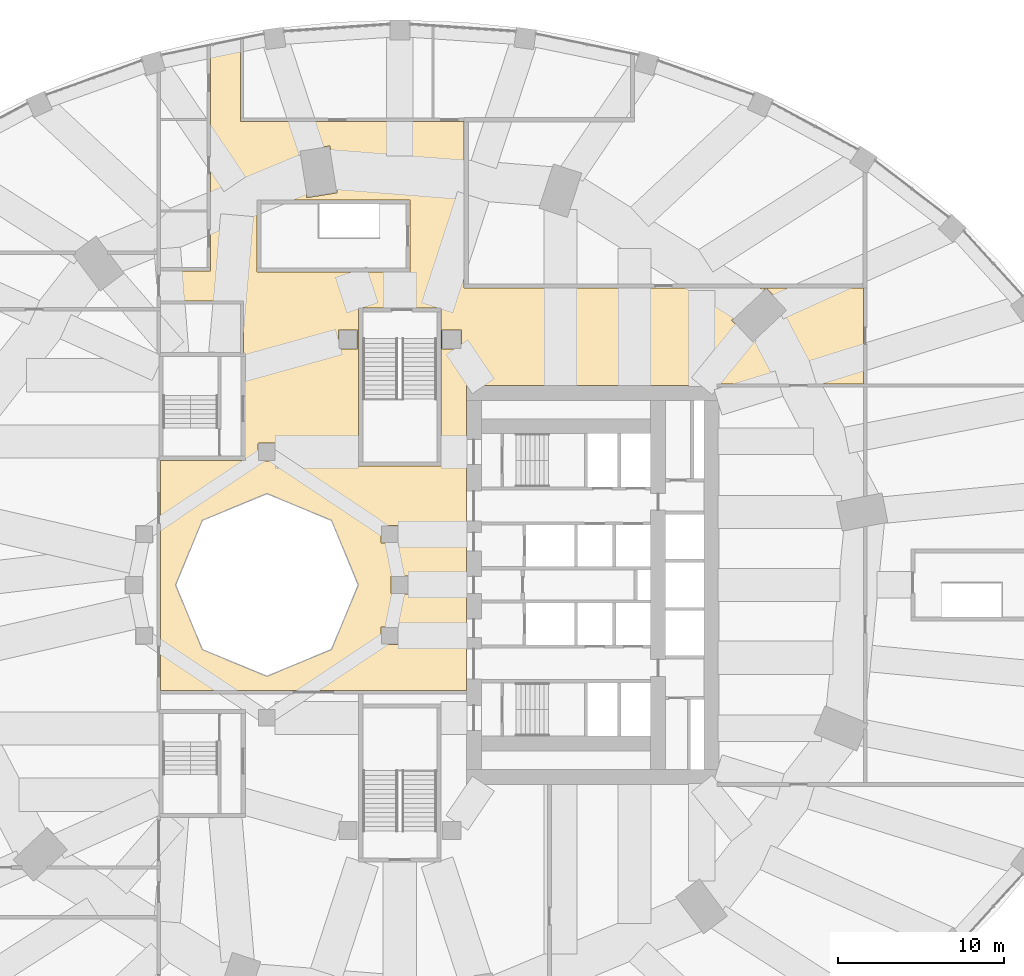
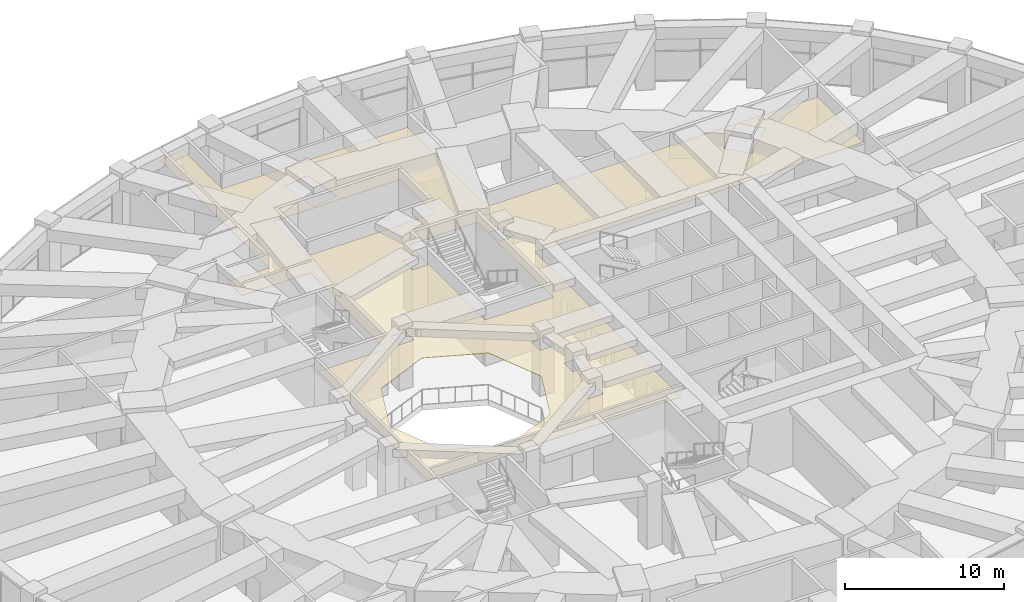
# One storey, part 29 of 30: 1 covering.
"""IFC4 building model written with IfcOpenShell, lengths in metres."""

from ifc_helpers import new_model, si_unit, direction, frame, origin, place, context, subcontext, project, spatial, polyline, outline, extrude, material, layer, layer_set, type_object, element, save


model = new_model("IFC4")

# Units and contexts
model_context = context("Model", 3, precision=1e-05, world=origin(), true_north=direction((0.0, 1.0)))
body_context = subcontext(model_context, "Body", "Model", "MODEL_VIEW")
ifc_project = project(units=[si_unit("LENGTHUNIT", "METRE"), si_unit("AREAUNIT", "SQUARE_METRE"), si_unit("VOLUMEUNIT", "CUBIC_METRE"), si_unit("PLANEANGLEUNIT", "RADIAN"), si_unit("MASSUNIT", "GRAM", prefix="KILO")], contexts=[model_context])

# Site, building, storey
site_placement = place(None, origin())
site = spatial("IfcSite", under=ifc_project, at=site_placement, CompositionType="ELEMENT")
building_placement = place(site_placement, origin())
building = spatial("IfcBuilding", under=site, at=building_placement, Name="Taillehof Tower", CompositionType="ELEMENT")
storey_placement = place(building_placement, frame((0.0, 0.0, 12.5)))
storey = spatial("IfcBuildingStorey", under=building, at=storey_placement, Name="L02", CompositionType="ELEMENT", Elevation=12.5)

# Covering
ifc_material = material(Name="Mineral fibre ceiling tiles")
ifc_layer = layer(ifc_material, 0.030029296875)
ifc_layer_set = layer_set([ifc_layer], Name="Suspended ceiling 30 mm")
covering_type = type_object("IfcCoveringType", Name="Suspended ceiling 30 mm", PredefinedType="CEILING", material=ifc_layer_set)
covering_placement = place(storey_placement, frame((0.0, 0.0, 3.570068359375)))
element("IfcCovering", 1, at=covering_placement, inside=storey, type_object=covering_type, Name="Ceiling L02-26", PredefinedType="CEILING", context=body_context, shape_type="SweptSolid", body=[
    extrude(outline(polyline([(4.0, -6.35009765625), (-14.39990234375, -6.35009765625), (-14.39990234375, 7.5), (-9.5, 7.5), (-9.5, 13.89990234375), (-9.39990234375, 13.89990234375), (-9.39990234375, 16.89990234375), (-9.39990234375, 17.10009765625), (-14.39990234375, 17.10009765625), (-14.39990234375, 18.89990234375), (-11.39990234375, 18.89990234375), (-11.39990234375, 19.10009765625), (-11.39990234375, 22.60009765625), (-11.39990234375, 27.89990234375), (-11.39990234375, 32.530029296875), (-11.3046875, 32.552978515625), (-9.60009765625, 32.84423828125), (-9.60009765625, 28.10009765625), (-9.60009765625, 27.89990234375), (2.10009765625, 27.89990234375), (3.875, 27.89990234375), (3.875, 27.875), (3.875, 18.125), (3.875, 17.875), (27.875, 17.875), (27.89990234375, 17.875), (27.89990234375, 12.10009765625), (19.10009765625, 12.10009765625), (19.10009765625, 12.0), (4.0, 12.0), (4.0, -6.35009765625)]), holes=[polyline([(-13.5, 0.0), (-11.88916015625, -3.88916015625), (-8.0, -5.5), (-4.11083984375, -3.88916015625), (-2.5, 0.0), (-4.11083984375, 3.88916015625), (-8.0, 5.5), (-11.88916015625, 3.88916015625), (-13.5, 0.0)]), polyline([(2.47509765625, 16.419921875), (2.47509765625, 16.669921875), (-2.22509765625, 16.669921875), (-2.47509765625, 16.669921875), (-2.47509765625, 7.39990234375), (-2.47509765625, 7.14990234375), (2.47509765625, 7.14990234375), (2.47509765625, 7.39990234375), (2.47509765625, 16.419921875)]), polyline([(-8.610107421875, 18.824951171875), (0.610107421875, 18.824951171875), (0.610107421875, 19.074951171875), (0.610107421875, 19.074951171875), (0.610107421875, 22.925048828125), (0.610107421875, 22.925048828125), (0.610107421875, 23.175048828125), (-8.360107421875, 23.175048828125), (-8.610107421875, 23.175048828125), (-8.610107421875, 19.074951171875), (-8.610107421875, 18.824951171875)]), polyline([(-1.120361328125, -3.589111328125), (-1.11767578125, -3.590087890625), (-1.11474609375, -3.5908203125), (-1.11181640625, -3.59130859375), (-1.10888671875, -3.591552734375), (-0.10888671875, -3.591552734375), (-0.10595703125, -3.59130859375), (-0.10302734375, -3.5908203125), (-0.100341796875, -3.590087890625), (-0.097412109375, -3.589111328125), (-0.0947265625, -3.587890625), (-0.09228515625, -3.58642578125), (-0.08984375, -3.584716796875), (-0.087646484375, -3.582763671875), (-0.085693359375, -3.58056640625), (-0.083984375, -3.578125), (-0.08251953125, -3.57568359375), (-0.081298828125, -3.572998046875), (-0.080322265625, -3.570068359375), (-0.07958984375, -3.5673828125), (-0.0791015625, -3.564453125), (-0.078857421875, -3.5615234375), (-0.078857421875, -2.5615234375), (-0.0791015625, -2.55859375), (-0.07958984375, -2.5556640625), (-0.080322265625, -2.552734375), (-0.081298828125, -2.550048828125), (-0.08251953125, -2.54736328125), (-0.083984375, -2.544921875), (-0.085693359375, -2.54248046875), (-0.087646484375, -2.540283203125), (-0.08984375, -2.538330078125), (-0.09228515625, -2.53662109375), (-0.0947265625, -2.534912109375), (-0.097412109375, -2.53369140625), (-0.100341796875, -2.53271484375), (-0.10302734375, -2.531982421875), (-0.10595703125, -2.531494140625), (-0.10888671875, -2.531494140625), (-1.10888671875, -2.531494140625), (-1.11181640625, -2.531494140625), (-1.11474609375, -2.531982421875), (-1.11767578125, -2.53271484375), (-1.120361328125, -2.53369140625), (-1.123046875, -2.534912109375), (-1.125732421875, -2.53662109375), (-1.1279296875, -2.538330078125), (-1.130126953125, -2.540283203125), (-1.132080078125, -2.54248046875), (-1.1337890625, -2.544921875), (-1.135498046875, -2.54736328125), (-1.13671875, -2.550048828125), (-1.1376953125, -2.552734375), (-1.138427734375, -2.5556640625), (-1.138916015625, -2.55859375), (-1.138916015625, -2.5615234375), (-1.138916015625, -3.5615234375), (-1.138916015625, -3.564453125), (-1.138427734375, -3.5673828125), (-1.1376953125, -3.570068359375), (-1.13671875, -3.572998046875), (-1.135498046875, -3.57568359375), (-1.1337890625, -3.578125), (-1.132080078125, -3.58056640625), (-1.130126953125, -3.582763671875), (-1.1279296875, -3.584716796875), (-1.125732421875, -3.58642578125), (-1.123046875, -3.587890625), (-1.120361328125, -3.589111328125)]), polyline([(-0.5087890625, -0.52880859375), (-0.505859375, -0.529541015625), (-0.5029296875, -0.52978515625), (-0.5, -0.530029296875), (0.5, -0.530029296875), (0.5029296875, -0.52978515625), (0.505859375, -0.529541015625), (0.5087890625, -0.52880859375), (0.511474609375, -0.52783203125), (0.51416015625, -0.5263671875), (0.5166015625, -0.52490234375), (0.51904296875, -0.523193359375), (0.521240234375, -0.521240234375), (0.523193359375, -0.51904296875), (0.52490234375, -0.5166015625), (0.5263671875, -0.51416015625), (0.52783203125, -0.511474609375), (0.52880859375, -0.5087890625), (0.529541015625, -0.505859375), (0.52978515625, -0.5029296875), (0.530029296875, -0.5), (0.530029296875, 0.5), (0.52978515625, 0.5029296875), (0.529541015625, 0.505859375), (0.52880859375, 0.5087890625), (0.52783203125, 0.511474609375), (0.5263671875, 0.51416015625), (0.52490234375, 0.5166015625), (0.523193359375, 0.51904296875), (0.521240234375, 0.521240234375), (0.51904296875, 0.523193359375), (0.5166015625, 0.52490234375), (0.51416015625, 0.5263671875), (0.511474609375, 0.52783203125), (0.5087890625, 0.52880859375), (0.505859375, 0.529541015625), (0.5029296875, 0.52978515625), (0.5, 0.530029296875), (-0.5, 0.530029296875), (-0.5029296875, 0.52978515625), (-0.505859375, 0.529541015625), (-0.5087890625, 0.52880859375), (-0.511474609375, 0.52783203125), (-0.51416015625, 0.5263671875), (-0.5166015625, 0.52490234375), (-0.51904296875, 0.523193359375), (-0.521240234375, 0.521240234375), (-0.523193359375, 0.51904296875), (-0.52490234375, 0.5166015625), (-0.5263671875, 0.51416015625), (-0.52783203125, 0.511474609375), (-0.52880859375, 0.5087890625), (-0.529541015625, 0.505859375), (-0.52978515625, 0.5029296875), (-0.530029296875, 0.5), (-0.530029296875, -0.5), (-0.52978515625, -0.5029296875), (-0.529541015625, -0.505859375), (-0.52880859375, -0.5087890625), (-0.52783203125, -0.511474609375), (-0.5263671875, -0.51416015625), (-0.52490234375, -0.5166015625), (-0.523193359375, -0.51904296875), (-0.521240234375, -0.521240234375), (-0.51904296875, -0.523193359375), (-0.5166015625, -0.52490234375), (-0.51416015625, -0.5263671875), (-0.511474609375, -0.52783203125), (-0.5087890625, -0.52880859375)]), polyline([(-1.120361328125, 2.53369140625), (-1.11767578125, 2.53271484375), (-1.11474609375, 2.531982421875), (-1.11181640625, 2.531494140625), (-1.10888671875, 2.531494140625), (-0.10888671875, 2.531494140625), (-0.10595703125, 2.531494140625), (-0.10302734375, 2.531982421875), (-0.100341796875, 2.53271484375), (-0.097412109375, 2.53369140625), (-0.0947265625, 2.534912109375), (-0.09228515625, 2.53662109375), (-0.08984375, 2.538330078125), (-0.087646484375, 2.540283203125), (-0.085693359375, 2.54248046875), (-0.083984375, 2.544921875), (-0.08251953125, 2.54736328125), (-0.081298828125, 2.550048828125), (-0.080322265625, 2.552734375), (-0.07958984375, 2.5556640625), (-0.0791015625, 2.55859375), (-0.078857421875, 2.5615234375), (-0.078857421875, 3.5615234375), (-0.0791015625, 3.564453125), (-0.07958984375, 3.5673828125), (-0.080322265625, 3.570068359375), (-0.081298828125, 3.572998046875), (-0.08251953125, 3.57568359375), (-0.083984375, 3.578125), (-0.085693359375, 3.58056640625), (-0.087646484375, 3.582763671875), (-0.08984375, 3.584716796875), (-0.09228515625, 3.58642578125), (-0.0947265625, 3.587890625), (-0.097412109375, 3.589111328125), (-0.100341796875, 3.590087890625), (-0.10302734375, 3.5908203125), (-0.10595703125, 3.59130859375), (-0.10888671875, 3.591552734375), (-1.10888671875, 3.591552734375), (-1.11181640625, 3.59130859375), (-1.11474609375, 3.5908203125), (-1.11767578125, 3.590087890625), (-1.120361328125, 3.589111328125), (-1.123046875, 3.587890625), (-1.125732421875, 3.58642578125), (-1.1279296875, 3.584716796875), (-1.130126953125, 3.582763671875), (-1.132080078125, 3.58056640625), (-1.1337890625, 3.578125), (-1.135498046875, 3.57568359375), (-1.13671875, 3.572998046875), (-1.1376953125, 3.570068359375), (-1.138427734375, 3.5673828125), (-1.138916015625, 3.564453125), (-1.138916015625, 3.5615234375), (-1.138916015625, 2.5615234375), (-1.138916015625, 2.55859375), (-1.138427734375, 2.5556640625), (-1.1376953125, 2.552734375), (-1.13671875, 2.550048828125), (-1.135498046875, 2.54736328125), (-1.1337890625, 2.544921875), (-1.132080078125, 2.54248046875), (-1.130126953125, 2.540283203125), (-1.1279296875, 2.538330078125), (-1.125732421875, 2.53662109375), (-1.123046875, 2.534912109375), (-1.120361328125, 2.53369140625)]), polyline([(-8.511474609375, 7.47216796875), (-8.5087890625, 7.47119140625), (-8.505859375, 7.470458984375), (-8.5029296875, 7.47021484375), (-8.5, 7.469970703125), (-7.5, 7.469970703125), (-7.4970703125, 7.47021484375), (-7.494140625, 7.470458984375), (-7.4912109375, 7.47119140625), (-7.488525390625, 7.47216796875), (-7.48583984375, 7.4736328125), (-7.4833984375, 7.47509765625), (-7.48095703125, 7.476806640625), (-7.478759765625, 7.478759765625), (-7.476806640625, 7.48095703125), (-7.47509765625, 7.4833984375), (-7.4736328125, 7.48583984375), (-7.47216796875, 7.488525390625), (-7.47119140625, 7.4912109375), (-7.470458984375, 7.494140625), (-7.47021484375, 7.4970703125), (-7.469970703125, 7.5), (-7.469970703125, 8.5), (-7.47021484375, 8.5029296875), (-7.470458984375, 8.505859375), (-7.47119140625, 8.5087890625), (-7.47216796875, 8.511474609375), (-7.4736328125, 8.51416015625), (-7.47509765625, 8.5166015625), (-7.476806640625, 8.51904296875), (-7.478759765625, 8.521240234375), (-7.48095703125, 8.523193359375), (-7.4833984375, 8.52490234375), (-7.48583984375, 8.5263671875), (-7.488525390625, 8.52783203125), (-7.4912109375, 8.52880859375), (-7.494140625, 8.529541015625), (-7.4970703125, 8.52978515625), (-7.5, 8.530029296875), (-8.5, 8.530029296875), (-8.5029296875, 8.52978515625), (-8.505859375, 8.529541015625), (-8.5087890625, 8.52880859375), (-8.511474609375, 8.52783203125), (-8.51416015625, 8.5263671875), (-8.5166015625, 8.52490234375), (-8.51904296875, 8.523193359375), (-8.521240234375, 8.521240234375), (-8.523193359375, 8.51904296875), (-8.52490234375, 8.5166015625), (-8.5263671875, 8.51416015625), (-8.52783203125, 8.511474609375), (-8.52880859375, 8.5087890625), (-8.529541015625, 8.505859375), (-8.52978515625, 8.5029296875), (-8.530029296875, 8.5), (-8.530029296875, 7.5), (-8.52978515625, 7.4970703125), (-8.529541015625, 7.494140625), (-8.52880859375, 7.4912109375), (-8.52783203125, 7.488525390625), (-8.5263671875, 7.48583984375), (-8.52490234375, 7.4833984375), (-8.523193359375, 7.48095703125), (-8.521240234375, 7.478759765625), (-8.51904296875, 7.476806640625), (-8.5166015625, 7.47509765625), (-8.51416015625, 7.4736328125), (-8.511474609375, 7.47216796875)]), polyline([(-3.687255859375, 14.1943359375), (-3.684326171875, 14.193359375), (-3.681640625, 14.192626953125), (-3.6787109375, 14.1923828125), (-3.67578125, 14.192138671875), (-2.57568359375, 14.192138671875), (-2.57275390625, 14.1923828125), (-2.56982421875, 14.192626953125), (-2.56689453125, 14.193359375), (-2.564208984375, 14.1943359375), (-2.5615234375, 14.195556640625), (-2.55908203125, 14.197265625), (-2.556640625, 14.198974609375), (-2.554443359375, 14.200927734375), (-2.552490234375, 14.203125), (-2.55078125, 14.20556640625), (-2.54931640625, 14.2080078125), (-2.5478515625, 14.210693359375), (-2.546875, 14.21337890625), (-2.546142578125, 14.21630859375), (-2.5458984375, 14.21923828125), (-2.545654296875, 14.22216796875), (-2.545654296875, 15.322021484375), (-2.5458984375, 15.324951171875), (-2.546142578125, 15.327880859375), (-2.546875, 15.330810546875), (-2.5478515625, 15.33349609375), (-2.54931640625, 15.336181640625), (-2.55078125, 15.3388671875), (-2.552490234375, 15.341064453125), (-2.554443359375, 15.34326171875), (-2.556640625, 15.34521484375), (-2.55908203125, 15.34716796875), (-2.5615234375, 15.3486328125), (-2.564208984375, 15.349853515625), (-2.56689453125, 15.350830078125), (-2.56982421875, 15.3515625), (-2.57275390625, 15.35205078125), (-2.57568359375, 15.35205078125), (-3.67578125, 15.35205078125), (-3.6787109375, 15.35205078125), (-3.681640625, 15.3515625), (-3.684326171875, 15.350830078125), (-3.687255859375, 15.349853515625), (-3.689697265625, 15.3486328125), (-3.6923828125, 15.34716796875), (-3.694580078125, 15.34521484375), (-3.69677734375, 15.34326171875), (-3.698974609375, 15.341064453125), (-3.70068359375, 15.3388671875), (-3.7021484375, 15.336181640625), (-3.703369140625, 15.33349609375), (-3.704345703125, 15.330810546875), (-3.705078125, 15.327880859375), (-3.70556640625, 15.324951171875), (-3.70556640625, 15.322021484375), (-3.70556640625, 14.22216796875), (-3.70556640625, 14.21923828125), (-3.705078125, 14.21630859375), (-3.704345703125, 14.21337890625), (-3.703369140625, 14.210693359375), (-3.7021484375, 14.2080078125), (-3.70068359375, 14.20556640625), (-3.698974609375, 14.203125), (-3.69677734375, 14.200927734375), (-3.694580078125, 14.198974609375), (-3.6923828125, 14.197265625), (-3.689697265625, 14.195556640625), (-3.687255859375, 14.1943359375)]), polyline([(2.564208984375, 14.1943359375), (2.56689453125, 14.193359375), (2.56982421875, 14.192626953125), (2.57275390625, 14.1923828125), (2.57568359375, 14.192138671875), (3.67578125, 14.192138671875), (3.6787109375, 14.1923828125), (3.681640625, 14.192626953125), (3.684326171875, 14.193359375), (3.687255859375, 14.1943359375), (3.689697265625, 14.195556640625), (3.6923828125, 14.197265625), (3.694580078125, 14.198974609375), (3.69677734375, 14.200927734375), (3.698974609375, 14.203125), (3.70068359375, 14.20556640625), (3.7021484375, 14.2080078125), (3.703369140625, 14.210693359375), (3.704345703125, 14.21337890625), (3.705078125, 14.21630859375), (3.70556640625, 14.21923828125), (3.70556640625, 14.22216796875), (3.70556640625, 15.322021484375), (3.70556640625, 15.324951171875), (3.705078125, 15.327880859375), (3.704345703125, 15.330810546875), (3.703369140625, 15.33349609375), (3.7021484375, 15.336181640625), (3.70068359375, 15.3388671875), (3.698974609375, 15.341064453125), (3.69677734375, 15.34326171875), (3.694580078125, 15.34521484375), (3.6923828125, 15.34716796875), (3.689697265625, 15.3486328125), (3.687255859375, 15.349853515625), (3.684326171875, 15.350830078125), (3.681640625, 15.3515625), (3.6787109375, 15.35205078125), (3.67578125, 15.35205078125), (2.57568359375, 15.35205078125), (2.57275390625, 15.35205078125), (2.56982421875, 15.3515625), (2.56689453125, 15.350830078125), (2.564208984375, 15.349853515625), (2.5615234375, 15.3486328125), (2.55908203125, 15.34716796875), (2.556640625, 15.34521484375), (2.554443359375, 15.34326171875), (2.552490234375, 15.341064453125), (2.55078125, 15.3388671875), (2.54931640625, 15.336181640625), (2.5478515625, 15.33349609375), (2.546875, 15.330810546875), (2.546142578125, 15.327880859375), (2.5458984375, 15.324951171875), (2.545654296875, 15.322021484375), (2.545654296875, 14.22216796875), (2.5458984375, 14.21923828125), (2.546142578125, 14.21630859375), (2.546875, 14.21337890625), (2.5478515625, 14.210693359375), (2.54931640625, 14.2080078125), (2.55078125, 14.20556640625), (2.552490234375, 14.203125), (2.554443359375, 14.200927734375), (2.556640625, 14.198974609375), (2.55908203125, 14.197265625), (2.5615234375, 14.195556640625), (2.564208984375, 14.1943359375)]), polyline([(-3.768798828125, 23.6171875), (-3.768310546875, 23.619873046875), (-3.76806640625, 23.622802734375), (-3.76806640625, 23.6259765625), (-3.768310546875, 23.62890625), (-4.20556640625, 26.39453125), (-4.2060546875, 26.397216796875), (-4.20703125, 26.400146484375), (-4.208251953125, 26.40283203125), (-4.209716796875, 26.405517578125), (-4.211181640625, 26.407958984375), (-4.213134765625, 26.41015625), (-4.21533203125, 26.412109375), (-4.217529296875, 26.4140625), (-4.219970703125, 26.41552734375), (-4.22265625, 26.4169921875), (-4.225341796875, 26.418212890625), (-4.228271484375, 26.4189453125), (-4.231201171875, 26.41943359375), (-4.234130859375, 26.419677734375), (-4.237060546875, 26.419677734375), (-4.239990234375, 26.41943359375), (-6.017822265625, 26.138427734375), (-6.020751953125, 26.1376953125), (-6.0234375, 26.13671875), (-6.026123046875, 26.1357421875), (-6.02880859375, 26.13427734375), (-6.03125, 26.132568359375), (-6.033447265625, 26.130615234375), (-6.03564453125, 26.128662109375), (-6.037353515625, 26.126220703125), (-6.0390625, 26.123779296875), (-6.040283203125, 26.121337890625), (-6.04150390625, 26.118408203125), (-6.042236328125, 26.11572265625), (-6.042724609375, 26.11279296875), (-6.043212890625, 26.10986328125), (-6.04296875, 26.10693359375), (-6.042724609375, 26.10400390625), (-5.60546875, 23.33837890625), (-5.60498046875, 23.33544921875), (-5.60400390625, 23.332763671875), (-5.60302734375, 23.329833984375), (-5.6015625, 23.327392578125), (-5.599853515625, 23.324951171875), (-5.597900390625, 23.32275390625), (-5.595947265625, 23.320556640625), (-5.593505859375, 23.31884765625), (-5.591064453125, 23.317138671875), (-5.58837890625, 23.315673828125), (-5.585693359375, 23.314697265625), (-5.5830078125, 23.31396484375), (-5.580078125, 23.313232421875), (-5.5771484375, 23.31298828125), (-5.57421875, 23.31298828125), (-5.5712890625, 23.3134765625), (-3.793212890625, 23.594482421875), (-3.79052734375, 23.594970703125), (-3.78759765625, 23.595947265625), (-3.784912109375, 23.59716796875), (-3.7822265625, 23.5986328125), (-3.77978515625, 23.60009765625), (-3.777587890625, 23.60205078125), (-3.775634765625, 23.604248046875), (-3.773681640625, 23.6064453125), (-3.772216796875, 23.60888671875), (-3.770751953125, 23.611572265625), (-3.76953125, 23.6142578125), (-3.768798828125, 23.6171875)]), polyline([(21.244140625, 14.588623046875), (21.246826171875, 14.589599609375), (21.24951171875, 14.591064453125), (21.251953125, 14.5927734375), (21.254150390625, 14.5947265625), (23.29833984375, 16.508056640625), (23.300537109375, 16.51025390625), (23.30224609375, 16.512451171875), (23.303955078125, 16.514892578125), (23.30517578125, 16.517578125), (23.306396484375, 16.520263671875), (23.30712890625, 16.523193359375), (23.3076171875, 16.526123046875), (23.307861328125, 16.529052734375), (23.307861328125, 16.531982421875), (23.3076171875, 16.534912109375), (23.306884765625, 16.53759765625), (23.305908203125, 16.54052734375), (23.304931640625, 16.543212890625), (23.303466796875, 16.545654296875), (23.3017578125, 16.548095703125), (23.2998046875, 16.550537109375), (22.06982421875, 17.86474609375), (22.067626953125, 17.86669921875), (22.0654296875, 17.868408203125), (22.06298828125, 17.8701171875), (22.060302734375, 17.87158203125), (22.0576171875, 17.87255859375), (22.0546875, 17.873291015625), (22.0517578125, 17.873779296875), (22.048828125, 17.8740234375), (22.0458984375, 17.8740234375), (22.04296875, 17.873779296875), (22.040283203125, 17.873046875), (22.037353515625, 17.872314453125), (22.03466796875, 17.87109375), (22.031982421875, 17.86962890625), (22.02978515625, 17.867919921875), (22.02734375, 17.865966796875), (19.983154296875, 15.95263671875), (19.98095703125, 15.95068359375), (19.979248046875, 15.9482421875), (19.9775390625, 15.94580078125), (19.976318359375, 15.943115234375), (19.97509765625, 15.9404296875), (19.974365234375, 15.937744140625), (19.973876953125, 15.934814453125), (19.9736328125, 15.931884765625), (19.9736328125, 15.928955078125), (19.97412109375, 15.926025390625), (19.974609375, 15.923095703125), (19.9755859375, 15.920166015625), (19.976806640625, 15.91748046875), (19.97802734375, 15.9150390625), (19.979736328125, 15.91259765625), (19.981689453125, 15.910400390625), (21.211669921875, 14.59619140625), (21.2138671875, 14.593994140625), (21.216064453125, 14.59228515625), (21.218505859375, 14.590576171875), (21.22119140625, 14.58935546875), (21.223876953125, 14.588134765625), (21.226806640625, 14.58740234375), (21.229736328125, 14.5869140625), (21.232666015625, 14.586669921875), (21.235595703125, 14.586669921875), (21.238525390625, 14.5869140625), (21.241455078125, 14.587646484375), (21.244140625, 14.588623046875)])]), origin(), (0.0, 0.0, 1.0), 0.030029296875),
])

save(model, "model.ifc")
